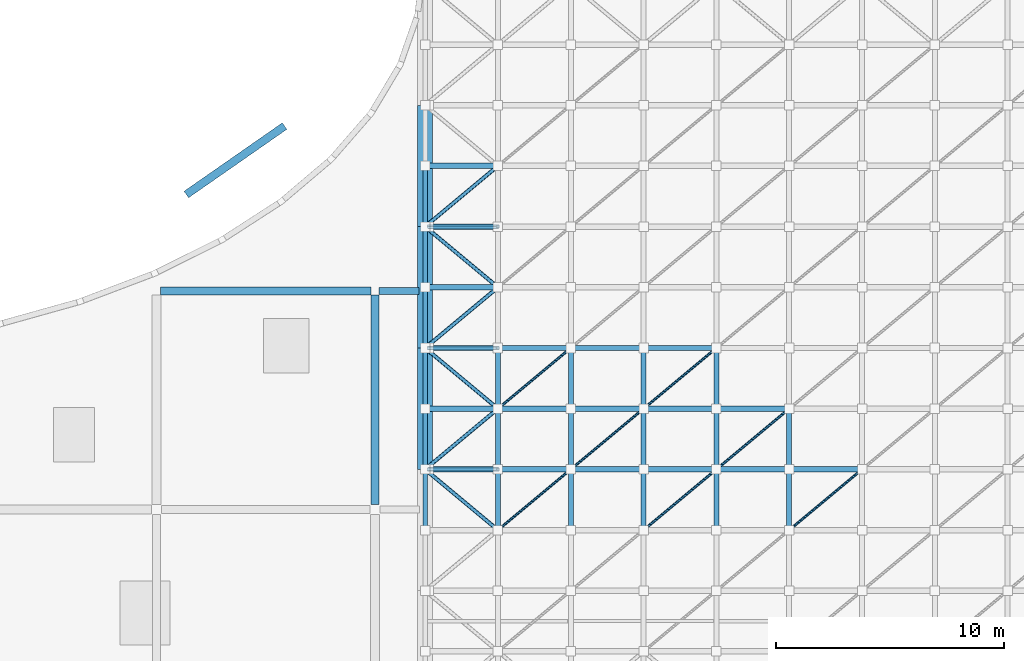
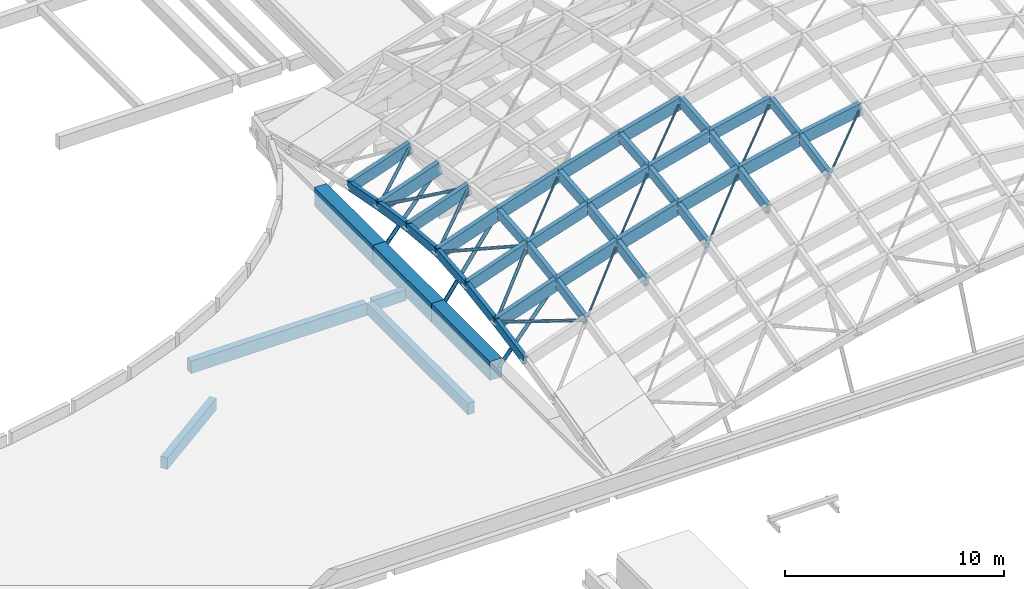
# One storey, part 7 of 40: 54 members, 7 beams.
"""IFC4 building model written with IfcOpenShell, lengths in metres."""

from ifc_helpers import new_model, si_unit, direction, frame, origin, origin_2d, place, context, subcontext, project, spatial, rectangle, hollow_circle, extrude, material, material_profile, profile_set, type_object, element, save


model = new_model("IFC4")

# Units and contexts
model_context = context("Model", 3, precision=1e-05, world=origin(), true_north=direction((0.0, 1.0)))
body_context = subcontext(model_context, "Body", "Model", "MODEL_VIEW")
ifc_project = project(units=[si_unit("LENGTHUNIT", "METRE"), si_unit("AREAUNIT", "SQUARE_METRE"), si_unit("VOLUMEUNIT", "CUBIC_METRE"), si_unit("PLANEANGLEUNIT", "RADIAN"), si_unit("MASSUNIT", "GRAM", prefix="KILO")], contexts=[model_context])

# Site, building, storey
site_placement = place(None, origin())
site = spatial("IfcSite", under=ifc_project, at=site_placement, CompositionType="ELEMENT")
building_placement = place(site_placement, origin())
building = spatial("IfcBuilding", under=site, at=building_placement, Name="Mzevani Central Library", CompositionType="ELEMENT")
storey_placement = place(building_placement, frame((0.0, 0.0, 26.699951171875)))
storey = spatial("IfcBuildingStorey", under=building, at=storey_placement, Name="RF", CompositionType="ELEMENT", Elevation=26.699951171875)

# Beams
ifc_material_1 = material(Name="Concrete C35/45", Category="concrete")
ifc_material_profile_1 = material_profile(ifc_material_1, rectangle(XDim=0.300048828125, YDim=0.60009765625, at=origin_2d()), Name="RC B300x600")
ifc_profile_set_1 = profile_set([ifc_material_profile_1], Name="Concrete C35/45")
beam_type_1 = type_object("IfcBeamType", Name="Beam RC 300x600", PredefinedType="BEAM", material=ifc_profile_set_1)
beam_1_placement = place(storey_placement, frame((112.175048828125, 61.60009765625, -13.4599609375), z_axis=(1.0, 0.0, 0.0), x_axis=(0.0, 1.0, 0.0)))
element("IfcBeam", 1, at=beam_1_placement, inside=storey, type_object=beam_type_1, Name="RF V1 Girder B-03 (158)", PredefinedType="BEAM", context=body_context, shape_type="SweptSolid", body=[
    extrude(rectangle(XDim=0.300048828125, YDim=0.60009765625, at=origin_2d()), origin(), (0.0, 0.0, 1.0), 1.75),
])
ifc_material_profile_2 = material_profile(ifc_material_1, rectangle(XDim=0.35009765625, YDim=0.64990234375, at=origin_2d()), Name="RC B350x650")
ifc_profile_set_2 = profile_set([ifc_material_profile_2], Name="Concrete C35/45")
beam_type_2 = type_object("IfcBeamType", Name="Beam RC 350x650", PredefinedType="BEAM", material=ifc_profile_set_2)
beam_2_placement = place(storey_placement, frame((103.7060546875, 65.843994140625, -21.885009765625), z_axis=(0.820607192785, 0.571492637879, 0.0), x_axis=(-0.571492637879, 0.820607192785, 0.0)))
element("IfcBeam", 2, at=beam_2_placement, inside=storey, type_object=beam_type_2, Name="RF V1 Court Ring Beam 14", PredefinedType="BEAM", context=body_context, shape_type="SweptSolid", body=[
    extrude(rectangle(XDim=0.35009765625, YDim=0.64990234375, at=origin_2d()), origin(), (0.0, 0.0, 1.0), 5.26171875),
])
beam_3_placement = place(storey_placement, frame((112.0, 52.22509765625, -13.48486328125), z_axis=(0.0, 1.0, 0.0), x_axis=(-1.0, 0.0, 0.0)))
element("IfcBeam", 3, at=beam_3_placement, inside=storey, type_object=beam_type_2, Name="RF V1 Frame Beam B-05 (172)", PredefinedType="BEAM", context=body_context, shape_type="SweptSolid", body=[
    extrude(rectangle(XDim=0.35009765625, YDim=0.64990234375, at=origin_2d()), origin(), (0.0, 0.0, 1.0), 9.199951171875),
])
ifc_material_profile_3 = material_profile(ifc_material_1, rectangle(XDim=0.35009765625, YDim=0.699951171875, at=origin_2d()), Name="RC B350x700")
ifc_profile_set_3 = profile_set([ifc_material_profile_3], Name="Concrete C35/45")
beam_type_3 = type_object("IfcBeamType", Name="Beam RC 350x700", PredefinedType="BEAM", material=ifc_profile_set_3)
beam_4_placement = place(storey_placement, frame((102.574951171875, 61.60009765625, -13.510009765625), z_axis=(1.0, 0.0, 0.0), x_axis=(0.0, 1.0, 0.0)))
element("IfcBeam", 4, at=beam_4_placement, inside=storey, type_object=beam_type_3, Name="RF V1 Girder B-06 (157)", PredefinedType="BEAM", context=body_context, shape_type="SweptSolid", body=[
    extrude(rectangle(XDim=0.35009765625, YDim=0.699951171875, at=origin_2d()), origin(), (0.0, 0.0, 1.0), 9.25),
])

# Members
ifc_material_2 = material(Name="Steel S355J2", Category="steel")
ifc_material_profile_4 = material_profile(ifc_material_2, hollow_circle(Radius=0.096923828125, WallThickness=0.010009765625, at=origin_2d()), Name="CHS 193.7x10.0")
ifc_profile_set_4 = profile_set([ifc_material_profile_4], Name="Steel S355J2")
member_type_1 = type_object("IfcMemberType", Name="Gridshell Corner Raker CHS 193.7", PredefinedType="BRACE", material=ifc_profile_set_4)
member_1_placement = place(storey_placement, frame((114.35009765625, 53.7666015625, -12.949951171875), z_axis=(0.641077422742, 0.0, 0.767476213345), x_axis=(0.0, 1.0, 0.0)))
element("IfcMember", 5, at=member_1_placement, inside=storey, type_object=member_type_1, Name="RF Gridshell West Springing Raker 2", PredefinedType="BRACE", context=body_context, shape_type="SweptSolid", body=[
    extrude(hollow_circle(Radius=0.096923828125, WallThickness=0.010009765625, at=origin_2d()), origin(), (0.0, 0.0, 1.0), 4.75732421875),
])
member_2_placement = place(storey_placement, frame((114.35009765625, 59.10009765625, -12.949951171875), z_axis=(0.578361557907, 0.0, 0.815780551579), x_axis=(0.0, 1.0, 0.0)))
element("IfcMember", 6, at=member_2_placement, inside=storey, type_object=member_type_1, Name="RF Gridshell West Springing Raker 3", PredefinedType="BRACE", context=body_context, shape_type="SweptSolid", body=[
    extrude(hollow_circle(Radius=0.096923828125, WallThickness=0.010009765625, at=origin_2d()), origin(), (0.0, 0.0, 1.0), 5.273193359375),
])
member_3_placement = place(storey_placement, frame((114.35009765625, 64.433349609375, -12.949951171875), z_axis=(0.641077422742, 0.0, 0.767476213345), x_axis=(0.0, 1.0, 0.0)))
element("IfcMember", 7, at=member_3_placement, inside=storey, type_object=member_type_1, Name="RF Gridshell West Springing Raker 4", PredefinedType="BRACE", context=body_context, shape_type="SweptSolid", body=[
    extrude(hollow_circle(Radius=0.096923828125, WallThickness=0.010009765625, at=origin_2d()), origin(), (0.0, 0.0, 1.0), 4.75732421875),
])
ifc_material_profile_5 = material_profile(ifc_material_2, hollow_circle(Radius=0.05712890625, WallThickness=0.00634765625, at=origin_2d()), Name="CHS 114.3x6.3")
ifc_profile_set_5 = profile_set([ifc_material_profile_5], Name="Steel S355J2")
member_type_2 = type_object("IfcMemberType", Name="Gridshell Diagonal Brace CHS 114.3", PredefinedType="BRACE", material=ifc_profile_set_5)
member_4_placement = place(storey_placement, frame((117.39990234375, 51.10009765625, -9.799560546875), z_axis=(0.719402561411, 0.599428957562, 0.350920047121), x_axis=(-0.640138279177, 0.768259710991, 0.0)))
element("IfcMember", 8, at=member_4_placement, inside=storey, type_object=member_type_2, Name="RF Gridshell Steel Diagonal 2.4", PredefinedType="BRACE", context=body_context, shape_type="SweptSolid", body=[
    extrude(hollow_circle(Radius=0.05712890625, WallThickness=0.00634765625, at=origin_2d()), origin(), (0.0, 0.0, 1.0), 4.448486328125),
])
member_5_placement = place(storey_placement, frame((117.39990234375, 56.433349609375, -8.866455078125), z_axis=(0.734416350165, 0.611994949104, 0.293419165839), x_axis=(-0.640172870191, 0.768230887345, 0.0)))
element("IfcMember", 9, at=member_5_placement, inside=storey, type_object=member_type_2, Name="RF Gridshell Steel Diagonal 2.6", PredefinedType="BRACE", context=body_context, shape_type="SweptSolid", body=[
    extrude(hollow_circle(Radius=0.05712890625, WallThickness=0.00634765625, at=origin_2d()), origin(), (0.0, 0.0, 1.0), 4.357421875),
])
member_6_placement = place(storey_placement, frame((120.60009765625, 53.7666015625, -8.238525390625), z_axis=(0.730125192973, 0.608465513301, 0.310945206926), x_axis=(-0.640201694382, 0.768206867003, 0.0)))
element("IfcMember", 10, at=member_6_placement, inside=storey, type_object=member_type_2, Name="RF Gridshell Steel Diagonal 3.5", PredefinedType="BRACE", context=body_context, shape_type="SweptSolid", body=[
    extrude(hollow_circle(Radius=0.05712890625, WallThickness=0.00634765625, at=origin_2d()), origin(), (0.0, 0.0, 1.0), 4.3828125),
])
member_7_placement = place(storey_placement, frame((123.800048828125, 51.10009765625, -7.808837890625), z_axis=(0.729820551407, 0.60815595197, 0.312263191599), x_axis=(-0.640167103973, 0.768235692344, 0.0)))
element("IfcMember", 11, at=member_7_placement, inside=storey, type_object=member_type_2, Name="RF Gridshell Steel Diagonal 4.4", PredefinedType="BRACE", context=body_context, shape_type="SweptSolid", body=[
    extrude(hollow_circle(Radius=0.05712890625, WallThickness=0.00634765625, at=origin_2d()), origin(), (0.0, 0.0, 1.0), 4.384521484375),
])
member_8_placement = place(storey_placement, frame((123.800048828125, 56.433349609375, -6.875732421875), z_axis=(0.743329244616, 0.619469393373, 0.252426830532), x_axis=(-0.640201694382, 0.768206867003, 0.0)))
element("IfcMember", 12, at=member_8_placement, inside=storey, type_object=member_type_2, Name="RF Gridshell Steel Diagonal 4.6", PredefinedType="BRACE", context=body_context, shape_type="SweptSolid", body=[
    extrude(hollow_circle(Radius=0.05712890625, WallThickness=0.00634765625, at=origin_2d()), origin(), (0.0, 0.0, 1.0), 4.304931640625),
])
member_9_placement = place(storey_placement, frame((127.0, 53.7666015625, -6.439697265625), z_axis=(0.74090866482, 0.617452151204, 0.264210505788), x_axis=(-0.640201694382, 0.768206867003, 0.0)))
element("IfcMember", 13, at=member_9_placement, inside=storey, type_object=member_type_2, Name="RF Gridshell Steel Diagonal 5.5", PredefinedType="BRACE", context=body_context, shape_type="SweptSolid", body=[
    extrude(hollow_circle(Radius=0.05712890625, WallThickness=0.00634765625, at=origin_2d()), origin(), (0.0, 0.0, 1.0), 4.31884765625),
])
member_10_placement = place(storey_placement, frame((130.199951171875, 51.10009765625, -6.231689453125), z_axis=(0.742863766159, 0.619024800029, 0.25487589505), x_axis=(-0.640167103973, 0.768235692344, 0.0)))
element("IfcMember", 14, at=member_10_placement, inside=storey, type_object=member_type_2, Name="RF Gridshell Steel Diagonal 6.4", PredefinedType="BRACE", context=body_context, shape_type="SweptSolid", body=[
    extrude(hollow_circle(Radius=0.05712890625, WallThickness=0.00634765625, at=origin_2d()), origin(), (0.0, 0.0, 1.0), 4.3076171875),
])
ifc_material_3 = material(Name="Glulam GL28h", Category="wood")
ifc_material_profile_6 = material_profile(ifc_material_3, rectangle(XDim=0.199951171875, YDim=0.47998046875, at=origin_2d()), Name="GL28h 200x480")
ifc_profile_set_6 = profile_set([ifc_material_profile_6], Name="Glulam GL28h")
member_type_3 = type_object("IfcMemberType", Name="Gridshell Edge Rib GL28h 200x480", PredefinedType="RAFTER", material=ifc_profile_set_6)
member_11_placement = place(storey_placement, frame((114.199951171875, 51.10009765625, -10.89111328125), z_axis=(0.0, 0.981475757945, 0.191586368425), x_axis=(-1.0, 0.0, 0.0)))
element("IfcMember", 15, at=member_11_placement, inside=storey, type_object=member_type_3, Name="RF Gridshell Glulam Transverse Rib Y1.4", PredefinedType="RAFTER", context=body_context, shape_type="SweptSolid", body=[
    extrude(rectangle(XDim=0.199951171875, YDim=0.47998046875, at=origin_2d()), origin(), (0.0, 0.0, 1.0), 2.716796875),
])
member_12_placement = place(storey_placement, frame((114.199951171875, 53.7666015625, -10.37060546875), z_axis=(0.0, 0.988241642061, 0.152900153354), x_axis=(-1.0, 0.0, 0.0)))
element("IfcMember", 16, at=member_12_placement, inside=storey, type_object=member_type_3, Name="RF Gridshell Glulam Transverse Rib Y1.5", PredefinedType="RAFTER", context=body_context, shape_type="SweptSolid", body=[
    extrude(rectangle(XDim=0.199951171875, YDim=0.47998046875, at=origin_2d()), origin(), (0.0, 0.0, 1.0), 2.698486328125),
])
member_13_placement = place(storey_placement, frame((114.199951171875, 56.433349609375, -9.9580078125), z_axis=(0.0, 0.996039868593, 0.08890770593), x_axis=(-1.0, 0.0, 0.0)))
element("IfcMember", 17, at=member_13_placement, inside=storey, type_object=member_type_3, Name="RF Gridshell Glulam Transverse Rib Y1.6", PredefinedType="RAFTER", context=body_context, shape_type="SweptSolid", body=[
    extrude(rectangle(XDim=0.199951171875, YDim=0.47998046875, at=origin_2d()), origin(), (0.0, 0.0, 1.0), 2.67724609375),
])
member_14_placement = place(storey_placement, frame((114.199951171875, 59.10009765625, -9.719970703125), z_axis=(0.0, 0.996039147696, -0.088915781817), x_axis=(-1.0, 0.0, 0.0)))
element("IfcMember", 18, at=member_14_placement, inside=storey, type_object=member_type_3, Name="RF Gridshell Glulam Transverse Rib Y1.7", PredefinedType="RAFTER", context=body_context, shape_type="SweptSolid", body=[
    extrude(rectangle(XDim=0.199951171875, YDim=0.47998046875, at=origin_2d()), origin(), (0.0, 0.0, 1.0), 2.677001953125),
])
member_15_placement = place(storey_placement, frame((114.199951171875, 61.7666015625, -9.9580078125), z_axis=(0.0, 0.988241642061, -0.152900153354), x_axis=(-1.0, 0.0, 0.0)))
element("IfcMember", 19, at=member_15_placement, inside=storey, type_object=member_type_3, Name="RF Gridshell Glulam Transverse Rib Y1.8", PredefinedType="RAFTER", context=body_context, shape_type="SweptSolid", body=[
    extrude(rectangle(XDim=0.199951171875, YDim=0.47998046875, at=origin_2d()), origin(), (0.0, 0.0, 1.0), 2.698486328125),
])
member_16_placement = place(storey_placement, frame((114.199951171875, 64.433349609375, -10.37060546875), z_axis=(0.0, 0.981479055934, -0.191569472421), x_axis=(-1.0, 0.0, 0.0)))
element("IfcMember", 20, at=member_16_placement, inside=storey, type_object=member_type_3, Name="RF Gridshell Glulam Transverse Rib Y1.9", PredefinedType="RAFTER", context=body_context, shape_type="SweptSolid", body=[
    extrude(rectangle(XDim=0.199951171875, YDim=0.47998046875, at=origin_2d()), origin(), (0.0, 0.0, 1.0), 2.717041015625),
])
ifc_material_profile_7 = material_profile(ifc_material_3, rectangle(XDim=0.239990234375, YDim=0.6201171875, at=origin_2d()), Name="GL28h 240x620")
ifc_profile_set_7 = profile_set([ifc_material_profile_7], Name="Glulam GL28h")
member_type_4 = type_object("IfcMemberType", Name="Gridshell Primary Rib GL28h 240x620", PredefinedType="RAFTER", material=ifc_profile_set_7)
member_17_placement = place(storey_placement, frame((114.199951171875, 56.433349609375, -10.028076171875), z_axis=(0.943711214964, 0.0, 0.330770528843), x_axis=(0.0, 1.0, 0.0)))
element("IfcMember", 21, at=member_17_placement, inside=storey, type_object=member_type_4, Name="RF Gridshell Glulam Arch Rib X6.1", PredefinedType="RAFTER", context=body_context, shape_type="SweptSolid", body=[
    extrude(rectangle(XDim=0.239990234375, YDim=0.6201171875, at=origin_2d()), origin(), (0.0, 0.0, 1.0), 3.390869140625),
])
member_18_placement = place(storey_placement, frame((117.39990234375, 56.433349609375, -8.906494140625), z_axis=(0.950993540483, 0.0, 0.309210746837), x_axis=(0.0, 1.0, 0.0)))
element("IfcMember", 22, at=member_18_placement, inside=storey, type_object=member_type_4, Name="RF Gridshell Glulam Arch Rib X6.2", PredefinedType="RAFTER", context=body_context, shape_type="SweptSolid", body=[
    extrude(rectangle(XDim=0.239990234375, YDim=0.6201171875, at=origin_2d()), origin(), (0.0, 0.0, 1.0), 3.364990234375),
])
member_19_placement = place(storey_placement, frame((120.60009765625, 56.433349609375, -7.865966796875), z_axis=(0.958629716231, 0.0, 0.284656050627), x_axis=(0.0, 1.0, 0.0)))
element("IfcMember", 23, at=member_19_placement, inside=storey, type_object=member_type_4, Name="RF Gridshell Glulam Arch Rib X6.3", PredefinedType="RAFTER", context=body_context, shape_type="SweptSolid", body=[
    extrude(rectangle(XDim=0.239990234375, YDim=0.6201171875, at=origin_2d()), origin(), (0.0, 0.0, 1.0), 3.338134765625),
])
member_20_placement = place(storey_placement, frame((123.800048828125, 56.433349609375, -6.915771484375), z_axis=(0.966586546506, 0.0, 0.256340492535), x_axis=(0.0, 1.0, 0.0)))
element("IfcMember", 24, at=member_20_placement, inside=storey, type_object=member_type_4, Name="RF Gridshell Glulam Arch Rib X6.4", PredefinedType="RAFTER", context=body_context, shape_type="SweptSolid", body=[
    extrude(rectangle(XDim=0.239990234375, YDim=0.6201171875, at=origin_2d()), origin(), (0.0, 0.0, 1.0), 3.310546875),
])
member_21_placement = place(storey_placement, frame((127.0, 56.433349609375, -6.067138671875), z_axis=(0.975050212006, 0.0, 0.221984423028), x_axis=(0.0, 1.0, 0.0)))
element("IfcMember", 25, at=member_21_placement, inside=storey, type_object=member_type_4, Name="RF Gridshell Glulam Arch Rib X6.5", PredefinedType="RAFTER", context=body_context, shape_type="SweptSolid", body=[
    extrude(rectangle(XDim=0.239990234375, YDim=0.6201171875, at=origin_2d()), origin(), (0.0, 0.0, 1.0), 3.28173828125),
])
for number, where, z_axis, x_axis, name in (
    (26, (114.199951171875, 61.7666015625, -10.028076171875), (0.943711214964, 0.0, 0.330770528843), (0.0, 1.0, 0.0), "RF Gridshell Glulam Arch Rib X8.1"),
    (27, (114.199951171875, 67.10009765625, -10.961181640625), (0.943711214964, 0.0, 0.330770528843), (0.0, 1.0, 0.0), "RF Gridshell Glulam Arch Rib X10.1"),
):
    element("IfcMember", number, at=place(storey_placement, frame(where, z_axis=z_axis, x_axis=x_axis)), inside=storey, type_object=member_type_4, Name=name, PredefinedType="RAFTER", context=body_context, shape_type="SweptSolid", body=[
        extrude(rectangle(XDim=0.239990234375, YDim=0.6201171875, at=origin_2d()), origin(), (0.0, 0.0, 1.0), 3.390869140625),
    ])
ifc_material_profile_8 = material_profile(ifc_material_3, rectangle(XDim=0.239990234375, YDim=0.679931640625, at=origin_2d()), Name="GL28h 240x680")
ifc_profile_set_8 = profile_set([ifc_material_profile_8], Name="Glulam GL28h")
member_type_5 = type_object("IfcMemberType", Name="Gridshell Primary Rib GL28h 240x680", PredefinedType="RAFTER", material=ifc_profile_set_8)
member_22_placement = place(storey_placement, frame((114.199951171875, 53.7666015625, -10.470458984375), z_axis=(0.943711214964, 0.0, 0.330770528843), x_axis=(0.0, 1.0, 0.0)))
element("IfcMember", 28, at=member_22_placement, inside=storey, type_object=member_type_5, Name="RF Gridshell Glulam Arch Rib X5.1", PredefinedType="RAFTER", context=body_context, shape_type="SweptSolid", body=[
    extrude(rectangle(XDim=0.239990234375, YDim=0.679931640625, at=origin_2d()), origin(), (0.0, 0.0, 1.0), 3.390869140625),
])
member_23_placement = place(storey_placement, frame((117.39990234375, 53.7666015625, -9.348876953125), z_axis=(0.951014872747, 0.0, 0.309145130666), x_axis=(0.0, 1.0, 0.0)))
element("IfcMember", 29, at=member_23_placement, inside=storey, type_object=member_type_5, Name="RF Gridshell Glulam Arch Rib X5.2", PredefinedType="RAFTER", context=body_context, shape_type="SweptSolid", body=[
    extrude(rectangle(XDim=0.239990234375, YDim=0.679931640625, at=origin_2d()), origin(), (0.0, 0.0, 1.0), 3.364990234375),
])
member_24_placement = place(storey_placement, frame((120.60009765625, 53.7666015625, -8.30859375), z_axis=(0.958609756204, 0.0, 0.284723260922), x_axis=(0.0, 1.0, 0.0)))
element("IfcMember", 30, at=member_24_placement, inside=storey, type_object=member_type_5, Name="RF Gridshell Glulam Arch Rib X5.3", PredefinedType="RAFTER", context=body_context, shape_type="SweptSolid", body=[
    extrude(rectangle(XDim=0.239990234375, YDim=0.679931640625, at=origin_2d()), origin(), (0.0, 0.0, 1.0), 3.338134765625),
])
member_25_placement = place(storey_placement, frame((123.800048828125, 53.7666015625, -7.358154296875), z_axis=(0.966604816788, 0.0, 0.256271590626), x_axis=(0.0, 1.0, 0.0)))
element("IfcMember", 31, at=member_25_placement, inside=storey, type_object=member_type_5, Name="RF Gridshell Glulam Arch Rib X5.4", PredefinedType="RAFTER", context=body_context, shape_type="SweptSolid", body=[
    extrude(rectangle(XDim=0.239990234375, YDim=0.679931640625, at=origin_2d()), origin(), (0.0, 0.0, 1.0), 3.310546875),
])
member_26_placement = place(storey_placement, frame((127.0, 53.7666015625, -6.509765625), z_axis=(0.975034107954, 0.0, 0.222055147039), x_axis=(0.0, 1.0, 0.0)))
element("IfcMember", 32, at=member_26_placement, inside=storey, type_object=member_type_5, Name="RF Gridshell Glulam Arch Rib X5.5", PredefinedType="RAFTER", context=body_context, shape_type="SweptSolid", body=[
    extrude(rectangle(XDim=0.239990234375, YDim=0.679931640625, at=origin_2d()), origin(), (0.0, 0.0, 1.0), 3.281982421875),
])
member_27_placement = place(storey_placement, frame((130.199951171875, 53.7666015625, -5.781005859375), z_axis=(0.984121212692, 0.0, 0.177497714718), x_axis=(0.0, 1.0, 0.0)))
element("IfcMember", 33, at=member_27_placement, inside=storey, type_object=member_type_5, Name="RF Gridshell Glulam Arch Rib X5.6", PredefinedType="RAFTER", context=body_context, shape_type="SweptSolid", body=[
    extrude(rectangle(XDim=0.239990234375, YDim=0.679931640625, at=origin_2d()), origin(), (0.0, 0.0, 1.0), 3.25146484375),
])
member_28_placement = place(storey_placement, frame((114.199951171875, 59.10009765625, -9.820068359375), z_axis=(0.943688738215, 0.0, 0.330834649584), x_axis=(0.0, 1.0, 0.0)))
element("IfcMember", 34, at=member_28_placement, inside=storey, type_object=member_type_5, Name="RF Gridshell Glulam Arch Rib X7.1", PredefinedType="RAFTER", context=body_context, shape_type="SweptSolid", body=[
    extrude(rectangle(XDim=0.239990234375, YDim=0.679931640625, at=origin_2d()), origin(), (0.0, 0.0, 1.0), 3.390869140625),
])
member_29_placement = place(storey_placement, frame((117.39990234375, 59.10009765625, -8.6982421875), z_axis=(0.951014872747, 0.0, 0.309145130666), x_axis=(0.0, 1.0, 0.0)))
element("IfcMember", 35, at=member_29_placement, inside=storey, type_object=member_type_5, Name="RF Gridshell Glulam Arch Rib X7.2", PredefinedType="RAFTER", context=body_context, shape_type="SweptSolid", body=[
    extrude(rectangle(XDim=0.239990234375, YDim=0.679931640625, at=origin_2d()), origin(), (0.0, 0.0, 1.0), 3.364990234375),
])
member_30_placement = place(storey_placement, frame((120.60009765625, 59.10009765625, -7.657958984375), z_axis=(0.958609756204, 0.0, 0.284723260922), x_axis=(0.0, 1.0, 0.0)))
element("IfcMember", 36, at=member_30_placement, inside=storey, type_object=member_type_5, Name="RF Gridshell Glulam Arch Rib X7.3", PredefinedType="RAFTER", context=body_context, shape_type="SweptSolid", body=[
    extrude(rectangle(XDim=0.239990234375, YDim=0.679931640625, at=origin_2d()), origin(), (0.0, 0.0, 1.0), 3.338134765625),
])
member_31_placement = place(storey_placement, frame((123.800048828125, 59.10009765625, -6.70751953125), z_axis=(0.966604816788, 0.0, 0.256271590626), x_axis=(0.0, 1.0, 0.0)))
element("IfcMember", 37, at=member_31_placement, inside=storey, type_object=member_type_5, Name="RF Gridshell Glulam Arch Rib X7.4", PredefinedType="RAFTER", context=body_context, shape_type="SweptSolid", body=[
    extrude(rectangle(XDim=0.239990234375, YDim=0.679931640625, at=origin_2d()), origin(), (0.0, 0.0, 1.0), 3.310546875),
])
member_32_placement = place(storey_placement, frame((114.199951171875, 64.433349609375, -10.470458984375), z_axis=(0.943711214964, 0.0, 0.330770528843), x_axis=(0.0, 1.0, 0.0)))
element("IfcMember", 38, at=member_32_placement, inside=storey, type_object=member_type_5, Name="RF Gridshell Glulam Arch Rib X9.1", PredefinedType="RAFTER", context=body_context, shape_type="SweptSolid", body=[
    extrude(rectangle(XDim=0.239990234375, YDim=0.679931640625, at=origin_2d()), origin(), (0.0, 0.0, 1.0), 3.390869140625),
])

# Beams
ifc_material_4 = material(Name="Concrete C40/50", Category="concrete")
ifc_material_profile_9 = material_profile(ifc_material_4, rectangle(XDim=0.64990234375, YDim=1.050048828125, at=origin_2d()), Name="RC RB650x1050")
ifc_profile_set_9 = profile_set([ifc_material_profile_9], Name="Concrete C40/50")
beam_type_4 = type_object("IfcBeamType", Name="Gridshell Ring Beam RC 650x1050", PredefinedType="BEAM", material=ifc_profile_set_9)
beam_5_placement = place(storey_placement, frame((114.199951171875, 53.7666015625, -13.02490234375), z_axis=(0.0, 1.0, 0.0), x_axis=(-1.0, 0.0, 0.0)))
element("IfcBeam", 39, at=beam_5_placement, inside=storey, type_object=beam_type_4, Name="RF Gridshell Ring Beam West Bay 3", PredefinedType="BEAM", context=body_context, shape_type="SweptSolid", body=[
    extrude(rectangle(XDim=0.64990234375, YDim=1.050048828125, at=origin_2d()), origin(), (0.0, 0.0, 1.0), 5.33349609375),
])
for number, where, z_axis, x_axis, name in (
    (40, (114.199951171875, 59.10009765625, -13.02490234375), (0.0, 1.0, 0.0), (-1.0, 0.0, 0.0), "RF Gridshell Ring Beam West Bay 4"),
    (41, (114.199951171875, 64.433349609375, -13.02490234375), (0.0, 1.0, 0.0), (-1.0, 0.0, 0.0), "RF Gridshell Ring Beam West Bay 5"),
):
    element("IfcBeam", number, at=place(storey_placement, frame(where, z_axis=z_axis, x_axis=x_axis)), inside=storey, type_object=beam_type_4, Name=name, PredefinedType="BEAM", context=body_context, shape_type="SweptSolid", body=[
        extrude(rectangle(XDim=0.64990234375, YDim=1.050048828125, at=origin_2d()), origin(), (0.0, 0.0, 1.0), 5.333251953125),
    ])

# Members
ifc_material_profile_10 = material_profile(ifc_material_2, hollow_circle(Radius=0.084228515625, WallThickness=0.010009765625, at=origin_2d()), Name="CHS 168.3x10.0")
ifc_profile_set_10 = profile_set([ifc_material_profile_10], Name="Steel S355J2")
member_type_6 = type_object("IfcMemberType", Name="Gridshell Springing Brace CHS 168.3", PredefinedType="BRACE", material=ifc_profile_set_10)
member_33_placement = place(storey_placement, frame((114.199951171875, 53.7666015625, -10.400634765625), z_axis=(0.760359721257, -0.633604095184, 0.14282487478), x_axis=(0.640167103973, 0.768235692344, 0.0)))
element("IfcMember", 42, at=member_33_placement, inside=storey, type_object=member_type_6, Name="RF Gridshell Steel Diagonal 1.4", PredefinedType="BRACE", context=body_context, shape_type="SweptSolid", body=[
    extrude(hollow_circle(Radius=0.084228515625, WallThickness=0.010009765625, at=origin_2d()), origin(), (0.0, 0.0, 1.0), 4.20849609375),
])
member_34_placement = place(storey_placement, frame((114.199951171875, 53.7666015625, -10.400634765625), z_axis=(0.720868076793, 0.600750896682, 0.345611886364), x_axis=(-0.640201694382, 0.768206867003, 0.0)))
element("IfcMember", 43, at=member_34_placement, inside=storey, type_object=member_type_6, Name="RF Gridshell Steel Diagonal 1.5", PredefinedType="BRACE", context=body_context, shape_type="SweptSolid", body=[
    extrude(hollow_circle(Radius=0.084228515625, WallThickness=0.010009765625, at=origin_2d()), origin(), (0.0, 0.0, 1.0), 4.43896484375),
])
for number, where, z_axis, x_axis, name in (
    (44, (114.199951171875, 59.10009765625, -9.75), (0.751487709536, -0.626268425365, 0.207494775373), (0.640201694382, 0.768206867003, 0.0), "RF Gridshell Steel Diagonal 1.6"),
    (45, (114.199951171875, 59.10009765625, -9.75), (0.751514693422, 0.62623357607, 0.207502225947), (-0.640167103973, 0.768235692344, 0.0), "RF Gridshell Steel Diagonal 1.7"),
):
    element("IfcMember", number, at=place(storey_placement, frame(where, z_axis=z_axis, x_axis=x_axis)), inside=storey, type_object=member_type_6, Name=name, PredefinedType="BRACE", context=body_context, shape_type="SweptSolid", body=[
        extrude(hollow_circle(Radius=0.084228515625, WallThickness=0.010009765625, at=origin_2d()), origin(), (0.0, 0.0, 1.0), 4.258056640625),
    ])
member_35_placement = place(storey_placement, frame((114.199951171875, 64.433349609375, -10.400634765625), z_axis=(0.720868076793, -0.600750896682, 0.345611886364), x_axis=(0.640201694382, 0.768206867003, 0.0)))
element("IfcMember", 46, at=member_35_placement, inside=storey, type_object=member_type_6, Name="RF Gridshell Steel Diagonal 1.8", PredefinedType="BRACE", context=body_context, shape_type="SweptSolid", body=[
    extrude(hollow_circle(Radius=0.084228515625, WallThickness=0.010009765625, at=origin_2d()), origin(), (0.0, 0.0, 1.0), 4.43896484375),
])
member_36_placement = place(storey_placement, frame((114.199951171875, 64.433349609375, -10.400634765625), z_axis=(0.760331773381, 0.633638815949, 0.142819625091), x_axis=(-0.640201694382, 0.768206867003, 0.0)))
element("IfcMember", 47, at=member_36_placement, inside=storey, type_object=member_type_6, Name="RF Gridshell Steel Diagonal 1.9", PredefinedType="BRACE", context=body_context, shape_type="SweptSolid", body=[
    extrude(hollow_circle(Radius=0.084228515625, WallThickness=0.010009765625, at=origin_2d()), origin(), (0.0, 0.0, 1.0), 4.208740234375),
])
ifc_material_profile_11 = material_profile(ifc_material_3, rectangle(XDim=0.219970703125, YDim=0.52001953125, at=origin_2d()), Name="GL28h 220x520")
ifc_profile_set_11 = profile_set([ifc_material_profile_11], Name="Glulam GL28h")
member_type_7 = type_object("IfcMemberType", Name="Gridshell Transverse Rib GL28h 220x520", PredefinedType="RAFTER", material=ifc_profile_set_11)
member_37_placement = place(storey_placement, frame((117.39990234375, 51.10009765625, -9.78955078125), z_axis=(0.0, 0.981458856952, 0.191672930038), x_axis=(-1.0, 0.0, 0.0)))
element("IfcMember", 48, at=member_37_placement, inside=storey, type_object=member_type_7, Name="RF Gridshell Glulam Transverse Rib Y2.4", PredefinedType="RAFTER", context=body_context, shape_type="SweptSolid", body=[
    extrude(rectangle(XDim=0.219970703125, YDim=0.52001953125, at=origin_2d()), origin(), (0.0, 0.0, 1.0), 2.716796875),
])
member_38_placement = place(storey_placement, frame((117.39990234375, 53.7666015625, -9.268798828125), z_axis=(0.0, 0.988255309049, 0.152811793187), x_axis=(-1.0, 0.0, 0.0)))
element("IfcMember", 49, at=member_38_placement, inside=storey, type_object=member_type_7, Name="RF Gridshell Glulam Transverse Rib Y2.5", PredefinedType="RAFTER", context=body_context, shape_type="SweptSolid", body=[
    extrude(rectangle(XDim=0.219970703125, YDim=0.52001953125, at=origin_2d()), origin(), (0.0, 0.0, 1.0), 2.698486328125),
])
member_39_placement = place(storey_placement, frame((117.39990234375, 56.433349609375, -8.8564453125), z_axis=(0.0, 0.996031789394, 0.088998171423), x_axis=(-1.0, 0.0, 0.0)))
element("IfcMember", 50, at=member_39_placement, inside=storey, type_object=member_type_7, Name="RF Gridshell Glulam Transverse Rib Y2.6", PredefinedType="RAFTER", context=body_context, shape_type="SweptSolid", body=[
    extrude(rectangle(XDim=0.219970703125, YDim=0.52001953125, at=origin_2d()), origin(), (0.0, 0.0, 1.0), 2.677490234375),
])
member_40_placement = place(storey_placement, frame((123.800048828125, 51.10009765625, -7.798828125), z_axis=(0.0, 0.981458856952, 0.191672930038), x_axis=(-1.0, 0.0, 0.0)))
element("IfcMember", 51, at=member_40_placement, inside=storey, type_object=member_type_7, Name="RF Gridshell Glulam Transverse Rib Y4.4", PredefinedType="RAFTER", context=body_context, shape_type="SweptSolid", body=[
    extrude(rectangle(XDim=0.219970703125, YDim=0.52001953125, at=origin_2d()), origin(), (0.0, 0.0, 1.0), 2.716796875),
])
member_41_placement = place(storey_placement, frame((123.800048828125, 53.7666015625, -7.278076171875), z_axis=(0.0, 0.988255309049, 0.152811793187), x_axis=(-1.0, 0.0, 0.0)))
element("IfcMember", 52, at=member_41_placement, inside=storey, type_object=member_type_7, Name="RF Gridshell Glulam Transverse Rib Y4.5", PredefinedType="RAFTER", context=body_context, shape_type="SweptSolid", body=[
    extrude(rectangle(XDim=0.219970703125, YDim=0.52001953125, at=origin_2d()), origin(), (0.0, 0.0, 1.0), 2.698486328125),
])
member_42_placement = place(storey_placement, frame((123.800048828125, 56.433349609375, -6.86572265625), z_axis=(0.0, 0.996031789394, 0.088998171423), x_axis=(-1.0, 0.0, 0.0)))
element("IfcMember", 53, at=member_42_placement, inside=storey, type_object=member_type_7, Name="RF Gridshell Glulam Transverse Rib Y4.6", PredefinedType="RAFTER", context=body_context, shape_type="SweptSolid", body=[
    extrude(rectangle(XDim=0.219970703125, YDim=0.52001953125, at=origin_2d()), origin(), (0.0, 0.0, 1.0), 2.677490234375),
])
member_43_placement = place(storey_placement, frame((130.199951171875, 51.10009765625, -6.2216796875), z_axis=(0.0, 0.981475757945, 0.191586368425), x_axis=(-1.0, 0.0, 0.0)))
element("IfcMember", 54, at=member_43_placement, inside=storey, type_object=member_type_7, Name="RF Gridshell Glulam Transverse Rib Y6.4", PredefinedType="RAFTER", context=body_context, shape_type="SweptSolid", body=[
    extrude(rectangle(XDim=0.219970703125, YDim=0.52001953125, at=origin_2d()), origin(), (0.0, 0.0, 1.0), 2.716796875),
])
member_44_placement = place(storey_placement, frame((130.199951171875, 53.7666015625, -5.701171875), z_axis=(0.0, 0.988241642061, 0.152900153354), x_axis=(-1.0, 0.0, 0.0)))
element("IfcMember", 55, at=member_44_placement, inside=storey, type_object=member_type_7, Name="RF Gridshell Glulam Transverse Rib Y6.5", PredefinedType="RAFTER", context=body_context, shape_type="SweptSolid", body=[
    extrude(rectangle(XDim=0.219970703125, YDim=0.52001953125, at=origin_2d()), origin(), (0.0, 0.0, 1.0), 2.698486328125),
])
ifc_material_profile_12 = material_profile(ifc_material_3, rectangle(XDim=0.219970703125, YDim=0.580078125, at=origin_2d()), Name="GL28h 220x580")
ifc_profile_set_12 = profile_set([ifc_material_profile_12], Name="Glulam GL28h")
member_type_8 = type_object("IfcMemberType", Name="Gridshell Transverse Rib GL28h 220x580", PredefinedType="RAFTER", material=ifc_profile_set_12)
member_45_placement = place(storey_placement, frame((120.60009765625, 51.10009765625, -8.779296875), z_axis=(0.0, 0.981458856952, 0.191672930038), x_axis=(-1.0, 0.0, 0.0)))
element("IfcMember", 56, at=member_45_placement, inside=storey, type_object=member_type_8, Name="RF Gridshell Glulam Transverse Rib Y3.4", PredefinedType="RAFTER", context=body_context, shape_type="SweptSolid", body=[
    extrude(rectangle(XDim=0.219970703125, YDim=0.580078125, at=origin_2d()), origin(), (0.0, 0.0, 1.0), 2.716796875),
])
member_46_placement = place(storey_placement, frame((120.60009765625, 53.7666015625, -8.258544921875), z_axis=(0.0, 0.988241642061, 0.152900153354), x_axis=(-1.0, 0.0, 0.0)))
element("IfcMember", 57, at=member_46_placement, inside=storey, type_object=member_type_8, Name="RF Gridshell Glulam Transverse Rib Y3.5", PredefinedType="RAFTER", context=body_context, shape_type="SweptSolid", body=[
    extrude(rectangle(XDim=0.219970703125, YDim=0.580078125, at=origin_2d()), origin(), (0.0, 0.0, 1.0), 2.698486328125),
])
member_47_placement = place(storey_placement, frame((120.60009765625, 56.433349609375, -7.845947265625), z_axis=(0.0, 0.996039868593, 0.08890770593), x_axis=(-1.0, 0.0, 0.0)))
element("IfcMember", 58, at=member_47_placement, inside=storey, type_object=member_type_8, Name="RF Gridshell Glulam Transverse Rib Y3.6", PredefinedType="RAFTER", context=body_context, shape_type="SweptSolid", body=[
    extrude(rectangle(XDim=0.219970703125, YDim=0.580078125, at=origin_2d()), origin(), (0.0, 0.0, 1.0), 2.67724609375),
])
member_48_placement = place(storey_placement, frame((127.0, 51.10009765625, -6.98046875), z_axis=(0.0, 0.981458856952, 0.191672930038), x_axis=(-1.0, 0.0, 0.0)))
element("IfcMember", 59, at=member_48_placement, inside=storey, type_object=member_type_8, Name="RF Gridshell Glulam Transverse Rib Y5.4", PredefinedType="RAFTER", context=body_context, shape_type="SweptSolid", body=[
    extrude(rectangle(XDim=0.219970703125, YDim=0.580078125, at=origin_2d()), origin(), (0.0, 0.0, 1.0), 2.716796875),
])
member_49_placement = place(storey_placement, frame((127.0, 53.7666015625, -6.459716796875), z_axis=(0.0, 0.988255309049, 0.152811793187), x_axis=(-1.0, 0.0, 0.0)))
element("IfcMember", 60, at=member_49_placement, inside=storey, type_object=member_type_8, Name="RF Gridshell Glulam Transverse Rib Y5.5", PredefinedType="RAFTER", context=body_context, shape_type="SweptSolid", body=[
    extrude(rectangle(XDim=0.219970703125, YDim=0.580078125, at=origin_2d()), origin(), (0.0, 0.0, 1.0), 2.698486328125),
])
member_50_placement = place(storey_placement, frame((127.0, 56.433349609375, -6.04736328125), z_axis=(0.0, 0.996031789394, 0.088998171423), x_axis=(-1.0, 0.0, 0.0)))
element("IfcMember", 61, at=member_50_placement, inside=storey, type_object=member_type_8, Name="RF Gridshell Glulam Transverse Rib Y5.6", PredefinedType="RAFTER", context=body_context, shape_type="SweptSolid", body=[
    extrude(rectangle(XDim=0.219970703125, YDim=0.580078125, at=origin_2d()), origin(), (0.0, 0.0, 1.0), 2.677490234375),
])

save(model, "model.ifc")
